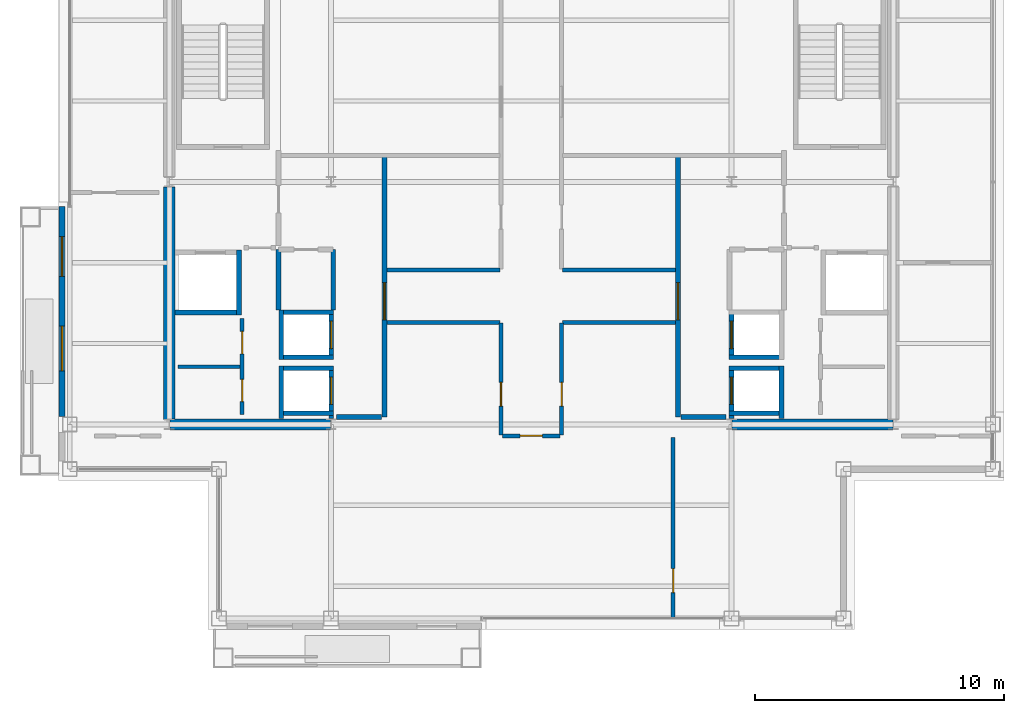
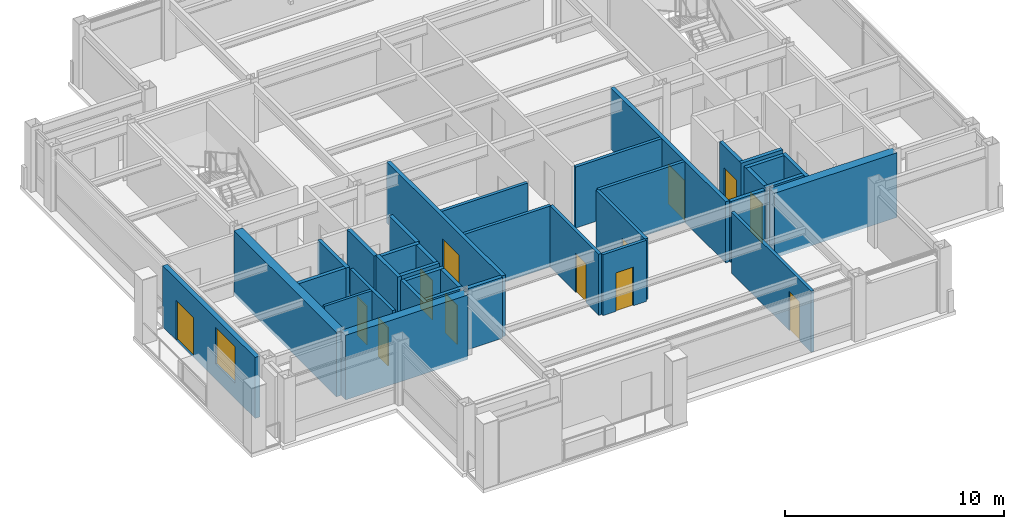
# One storey, part 20 of 24: 36 walls, 13 doors, 1 window, 14 openings.
"""IFC4 building model written with IfcOpenShell, lengths in metres."""

from ifc_helpers import new_model, si_unit, direction, frame, frame_2d, origin, place, context, subcontext, project, spatial, rectangle, extrude, material, layer, layer_set, type_object, element, fill, save


model = new_model("IFC4")

# Units and contexts
model_context = context("Model", 3, precision=1e-05, world=origin(), true_north=direction((0.0, 1.0)))
body_context = subcontext(model_context, "Body", "Model", "MODEL_VIEW")
ifc_project = project(units=[si_unit("LENGTHUNIT", "METRE"), si_unit("AREAUNIT", "SQUARE_METRE"), si_unit("VOLUMEUNIT", "CUBIC_METRE"), si_unit("PLANEANGLEUNIT", "RADIAN"), si_unit("MASSUNIT", "GRAM", prefix="KILO")], contexts=[model_context])

# Site, building, storey
site_placement = place(None, origin())
site = spatial("IfcSite", under=ifc_project, at=site_placement, CompositionType="ELEMENT")
building_placement = place(site_placement, origin())
building = spatial("IfcBuilding", under=site, at=building_placement, Name="Brelmoor Portico Tower", CompositionType="ELEMENT")
storey_placement = place(building_placement, frame((0.0, 0.0, 254.39990234375)))
storey = spatial("IfcBuildingStorey", under=building, at=storey_placement, Name="L67", CompositionType="ELEMENT", Elevation=254.39990234375)

# Walls
ifc_material_1 = material(Name="Concrete C50", Category="concrete")
ifc_layer_1 = layer(ifc_material_1, 0.449951171875)
ifc_layer_set_1 = layer_set([ifc_layer_1], Name="Concrete C50")
wall_type_1 = type_object("IfcWallType", Name="WL-CORE-450", PredefinedType="SHEAR", material=ifc_layer_set_1)
wall_1_placement = place(storey_placement, frame((-14.530029296875, -9.75, -0.199951171875), z_axis=(0.0, 0.0, 1.0), x_axis=(1.0, 0.0, 0.0)))
element("IfcWall", 1, at=wall_1_placement, inside=storey, type_object=wall_type_1, Name="L67 WC South Shear Wall", PredefinedType="SHEAR", context=body_context, shape_type="SweptSolid", body=[
    extrude(rectangle(XDim=6.4599609375, YDim=0.449951171875, at=frame_2d((3.22998046875, 0.0))), origin(), (0.0, 0.0, 1.0), 3.60009765625),
])
wall_2_placement = place(storey_placement, frame((-14.550048828125, -9.550048828125, -0.199951171875), z_axis=(0.0, 0.0, 1.0), x_axis=(0.0, 1.0, 0.0)))
element("IfcWall", 2, at=wall_2_placement, inside=storey, type_object=wall_type_1, Name="L67 WC Outer South Shear Wall", PredefinedType="SHEAR", context=body_context, shape_type="SweptSolid", body=[
    extrude(rectangle(XDim=9.35009765625, YDim=0.449951171875, at=frame_2d((4.675048828125, 0.0))), origin(), (0.0, 0.0, 1.0), 3.60009765625),
])
wall_3_placement = place(storey_placement, frame((8.070068359375, -9.75, -0.199951171875), z_axis=(0.0, 0.0, 1.0), x_axis=(1.0, 0.0, 0.0)))
element("IfcWall", 3, at=wall_3_placement, inside=storey, type_object=wall_type_1, Name="L67 EC South Shear Wall", PredefinedType="SHEAR", context=body_context, shape_type="SweptSolid", body=[
    extrude(rectangle(XDim=6.4599609375, YDim=0.449951171875, at=frame_2d((3.22998046875, 0.0))), origin(), (0.0, 0.0, 1.0), 3.60009765625),
])

# Wall, openings, door, window
ifc_material_2 = material(Name="Precast Concrete C40 Insulated Facade Wall", Category="concrete")
ifc_layer_2 = layer(ifc_material_2, 0.25)
ifc_layer_set_2 = layer_set([ifc_layer_2], Name="Precast Concrete C40 Insulated Facade Wall")
wall_type_2 = type_object("IfcWallType", Name="WL-EXT-250", PredefinedType="STANDARD", material=ifc_layer_set_2)
wall_4_placement = place(storey_placement, frame((-18.860107421875, -9.429931640625, 0.0), z_axis=(0.0, 0.0, 1.0), x_axis=(0.0, 1.0, 0.0)))
wall_4 = element("IfcWall", 4, at=wall_4_placement, inside=storey, type_object=wall_type_2, Name="L67 Loggia Threshold Wall W-2", PredefinedType="STANDARD", context=body_context, shape_type="SweptSolid", body=[
    extrude(rectangle(XDim=8.429931640625, YDim=0.25, at=frame_2d((4.21484375, 0.0))), origin(), (0.0, 0.0, 1.0), 3.400146484375),
])
opening_1_placement = place(wall_4_placement, frame((5.6298828125, 0.0, 0.0)))
opening_1 = element("IfcOpeningElement", 5, at=opening_1_placement, cuts=wall_4, Name="Opening D-TB1", PredefinedType="OPENING", context=body_context, shape_type="SweptSolid", body=[
    extrude(rectangle(XDim=1.60009765625, YDim=2.199951171875, at=frame_2d((0.800048828125, 1.10009765625))), frame((0.0, 0.135009765625, 0.0), z_axis=(0.0, -1.0, 0.0), x_axis=(1.0, 0.0, 0.0)), (0.0, 0.0, 1.0), 0.27001953125),
])
opening_2_placement = place(wall_4_placement, frame((1.830078125, 0.0, 0.85009765625)))
opening_2 = element("IfcOpeningElement", 6, at=opening_2_placement, cuts=wall_4, Name="Opening W-03C", PredefinedType="OPENING", context=body_context, shape_type="SweptSolid", body=[
    extrude(rectangle(XDim=1.800048828125, YDim=2.050048828125, at=frame_2d((0.89990234375, 1.02490234375))), frame((0.0, 0.135009765625, 0.0), z_axis=(0.0, -1.0, 0.0), x_axis=(1.0, 0.0, 0.0)), (0.0, 0.0, 1.0), 0.27001953125),
])
ifc_material_3 = material(Name="Double-Leaf Thermally Broken Terrace Door", Category="aluminium")
door_type_1 = type_object("IfcDoorType", Name="DR-BALCONY-1600", OperationType="NOTDEFINED", PredefinedType="DOOR", material=ifc_material_3)
door_1_placement = place(opening_1_placement, origin())
door_1 = element("IfcDoor", 7, at=door_1_placement, inside=storey, type_object=door_type_1, Name="D-2774 L67 Tree Balcony Double Door W", OperationType="DOUBLE_DOOR_SINGLE_SWING", OverallHeight=2.199951171875, OverallWidth=1.60009765625, PredefinedType="DOOR", context=body_context, shape_type="SweptSolid", body=[
    extrude(rectangle(XDim=1.60009765625, YDim=2.199951171875, at=frame_2d((0.800048828125, 1.10009765625))), frame((0.0, 0.02490234375, 0.0), z_axis=(0.0, -1.0, 0.0), x_axis=(1.0, 0.0, 0.0)), (0.0, 0.0, 1.0), 0.050048828125),
])
fill(opening_1, door_1)
ifc_material_4 = material(Name="Thermally Broken Aluminium Low-E Window", Category="aluminium")
window_type = type_object("IfcWindowType", Name="WN-LOGGIA-1800x2050", PartitioningType="SINGLE_PANEL", PredefinedType="WINDOW", material=ifc_material_4)
window_placement = place(opening_2_placement, origin())
window = element("IfcWindow", 8, at=window_placement, inside=storey, type_object=window_type, Name="L67 Loggia Window W", OverallHeight=2.050048828125, OverallWidth=1.800048828125, PartitioningType="SINGLE_PANEL", PredefinedType="WINDOW", context=body_context, shape_type="SweptSolid", body=[
    extrude(rectangle(XDim=1.800048828125, YDim=2.050048828125, at=frame_2d((0.89990234375, 1.02490234375))), frame((0.0, 0.030029296875, 0.0), z_axis=(0.0, -1.0, 0.0), x_axis=(1.0, 0.0, 0.0)), (0.0, 0.0, 1.0), 0.06005859375),
])
fill(opening_2, window)

# Wall
ifc_material_5 = material(Name="Insulated Stud Suite Partition", Category="gypsum")
ifc_layer_3 = layer(ifc_material_5, 0.139892578125)
ifc_layer_set_3 = layer_set([ifc_layer_3], Name="Insulated Stud Suite Partition")
wall_type_3 = type_object("IfcWallType", Name="WL-PART-140", PredefinedType="PARTITIONING", material=ifc_layer_set_3)
wall_5_placement = place(storey_placement, frame((-11.699951171875, -7.425048828125, 0.0), z_axis=(0.0, 0.0, 1.0), x_axis=(-1.0, 0.0, 0.0)))
element("IfcWall", 9, at=wall_5_placement, inside=storey, type_object=wall_type_3, Name="L67 W Core WC Divider 1", PredefinedType="PARTITIONING", context=body_context, shape_type="SweptSolid", body=[
    extrude(rectangle(XDim=2.5, YDim=0.139892578125, at=frame_2d((1.25, 0.0))), origin(), (0.0, 0.0, 1.0), 3.400146484375),
])

# Wall, openings, doors
ifc_material_6 = material(Name="Twin-Frame Acoustic Partition", Category="gypsum")
ifc_layer_4 = layer(ifc_material_6, 0.159912109375)
ifc_layer_set_4 = layer_set([ifc_layer_4], Name="Twin-Frame Acoustic Partition")
wall_type_4 = type_object("IfcWallType", Name="WL-PART-160", PredefinedType="PARTITIONING", material=ifc_layer_set_4)
wall_6_placement = place(storey_placement, frame((-11.6201171875, -9.35009765625, 0.0), z_axis=(0.0, 0.0, 1.0), x_axis=(0.0, 1.0, 0.0)))
wall_6 = element("IfcWall", 10, at=wall_6_placement, inside=storey, type_object=wall_type_4, Name="L67 W Core Service Front Wall", PredefinedType="PARTITIONING", context=body_context, shape_type="SweptSolid", body=[
    extrude(rectangle(XDim=3.85009765625, YDim=0.159912109375, at=frame_2d((1.925048828125, 0.0))), origin(), (0.0, 0.0, 1.0), 3.400146484375),
])
opening_3_placement = place(wall_6_placement, frame((0.512451171875, 0.0, 0.0)))
opening_3 = element("IfcOpeningElement", 11, at=opening_3_placement, cuts=wall_6, Name="Opening D-IN1", PredefinedType="OPENING", context=body_context, shape_type="SweptSolid", body=[
    extrude(rectangle(XDim=0.89990234375, YDim=2.14990234375, at=frame_2d((0.449951171875, 1.074951171875))), frame((0.0, 0.08984375, 0.0), z_axis=(0.0, -1.0, 0.0), x_axis=(1.0, 0.0, 0.0)), (0.0, 0.0, 1.0), 0.179931640625),
])
opening_4_placement = place(wall_6_placement, frame((2.4375, 0.0, 0.0)))
opening_4 = element("IfcOpeningElement", 12, at=opening_4_placement, cuts=wall_6, Name="Opening D-IN1", PredefinedType="OPENING", context=body_context, shape_type="SweptSolid", body=[
    extrude(rectangle(XDim=0.89990234375, YDim=2.14990234375, at=frame_2d((0.449951171875, 1.074951171875))), frame((0.0, 0.08984375, 0.0), z_axis=(0.0, -1.0, 0.0), x_axis=(1.0, 0.0, 0.0)), (0.0, 0.0, 1.0), 0.179931640625),
])
ifc_material_7 = material(Name="Lacquered Timber Suite Door", Category="wood")
door_type_2 = type_object("IfcDoorType", Name="DR-INT-900", OperationType="NOTDEFINED", PredefinedType="DOOR", material=ifc_material_7)
door_2_placement = place(opening_3_placement, origin())
door_2 = element("IfcDoor", 13, at=door_2_placement, inside=storey, type_object=door_type_2, Name="D-2756 L67 W Accessible WC Door", OperationType="SINGLE_SWING_RIGHT", OverallHeight=2.14990234375, OverallWidth=0.89990234375, PredefinedType="DOOR", context=body_context, shape_type="SweptSolid", body=[
    extrude(rectangle(XDim=0.89990234375, YDim=2.14990234375, at=frame_2d((0.449951171875, 1.074951171875))), frame((0.0, 0.02490234375, 0.0), z_axis=(0.0, -1.0, 0.0), x_axis=(1.0, 0.0, 0.0)), (0.0, 0.0, 1.0), 0.050048828125),
])
fill(opening_3, door_2)
door_3_placement = place(opening_4_placement, origin())
door_3 = element("IfcDoor", 14, at=door_3_placement, inside=storey, type_object=door_type_2, Name="D-2757 L67 W Staff WC Door", OperationType="SINGLE_SWING_LEFT", OverallHeight=2.14990234375, OverallWidth=0.89990234375, PredefinedType="DOOR", context=body_context, shape_type="SweptSolid", body=[
    extrude(rectangle(XDim=0.89990234375, YDim=2.14990234375, at=frame_2d((0.449951171875, 1.074951171875))), frame((0.0, 0.02490234375, 0.0), z_axis=(0.0, -1.0, 0.0), x_axis=(1.0, 0.0, 0.0)), (0.0, 0.0, 1.0), 0.050048828125),
])
fill(opening_4, door_3)

# Walls
for number, where, z_axis, x_axis, name in (
    (15, (-5.800048828125, -3.550048828125, 0.0), (0.0, 0.0, 1.0), (1.0, 0.0, 0.0), "L67 West Pantry South Wall"),
    (16, (1.260009765625, -3.550048828125, 0.0), (0.0, 0.0, 1.0), (1.0, 0.0, 0.0), "L67 East Office South Wall"),
):
    element("IfcWall", number, at=place(storey_placement, frame(where, z_axis=z_axis, x_axis=x_axis)), inside=storey, type_object=wall_type_4, Name=name, PredefinedType="PARTITIONING", context=body_context, shape_type="SweptSolid", body=[
        extrude(rectangle(XDim=4.5400390625, YDim=0.159912109375, at=frame_2d((2.27001953125, 0.0))), origin(), (0.0, 0.0, 1.0), 3.400146484375),
    ])

# Wall, opening, door
wall_7_placement = place(storey_placement, frame((-1.219970703125, -10.169921875, 0.0), z_axis=(0.0, 0.0, 1.0), x_axis=(0.0, 1.0, 0.0)))
wall_7 = element("IfcWall", 17, at=wall_7_placement, inside=storey, type_object=wall_type_4, Name="L67 South Cross West Wall", PredefinedType="PARTITIONING", context=body_context, shape_type="SweptSolid", body=[
    extrude(rectangle(XDim=4.489990234375, YDim=0.159912109375, at=frame_2d((2.2451171875, 0.0))), origin(), (0.0, 0.0, 1.0), 3.400146484375),
])
opening_5_placement = place(wall_7_placement, frame((1.14990234375, 0.0, 0.0)))
opening_5 = element("IfcOpeningElement", 18, at=opening_5_placement, cuts=wall_7, Name="Opening D-IN2", PredefinedType="OPENING", context=body_context, shape_type="SweptSolid", body=[
    extrude(rectangle(XDim=0.9599609375, YDim=2.179931640625, at=frame_2d((0.47998046875, 1.08984375))), frame((0.0, 0.08984375, 0.0), z_axis=(0.0, -1.0, 0.0), x_axis=(1.0, 0.0, 0.0)), (0.0, 0.0, 1.0), 0.179931640625),
])
door_type_3 = type_object("IfcDoorType", Name="DR-INT-950", OperationType="NOTDEFINED", PredefinedType="DOOR", material=ifc_material_7)
door_4_placement = place(opening_5_placement, origin())
door_4 = element("IfcDoor", 19, at=door_4_placement, inside=storey, type_object=door_type_3, Name="D-2749 L67 South-West Archive Room Door", OperationType="SINGLE_SWING_LEFT", OverallHeight=2.179931640625, OverallWidth=0.9599609375, PredefinedType="DOOR", context=body_context, shape_type="SweptSolid", body=[
    extrude(rectangle(XDim=0.9599609375, YDim=2.179931640625, at=frame_2d((0.47998046875, 1.08984375))), frame((0.0, 0.02490234375, 0.0), z_axis=(0.0, -1.0, 0.0), x_axis=(1.0, 0.0, 0.0)), (0.0, 0.0, 1.0), 0.050048828125),
])
fill(opening_5, door_4)

wall_8_placement = place(storey_placement, frame((1.219970703125, -10.169921875, 0.0), z_axis=(0.0, 0.0, 1.0), x_axis=(0.0, 1.0, 0.0)))
wall_8 = element("IfcWall", 20, at=wall_8_placement, inside=storey, type_object=wall_type_4, Name="L67 South Cross East Wall", PredefinedType="PARTITIONING", context=body_context, shape_type="SweptSolid", body=[
    extrude(rectangle(XDim=4.489990234375, YDim=0.159912109375, at=frame_2d((2.2451171875, 0.0))), origin(), (0.0, 0.0, 1.0), 3.400146484375),
])
opening_6_placement = place(wall_8_placement, frame((1.14990234375, 0.0, 0.0)))
opening_6 = element("IfcOpeningElement", 21, at=opening_6_placement, cuts=wall_8, Name="Opening D-IN2", PredefinedType="OPENING", context=body_context, shape_type="SweptSolid", body=[
    extrude(rectangle(XDim=0.9599609375, YDim=2.179931640625, at=frame_2d((0.47998046875, 1.08984375))), frame((0.0, 0.08984375, 0.0), z_axis=(0.0, -1.0, 0.0), x_axis=(1.0, 0.0, 0.0)), (0.0, 0.0, 1.0), 0.179931640625),
])
door_5_placement = place(opening_6_placement, origin())
door_5 = element("IfcDoor", 22, at=door_5_placement, inside=storey, type_object=door_type_3, Name="D-2748 L67 South-East Partner Office Door", OperationType="SINGLE_SWING_RIGHT", OverallHeight=2.179931640625, OverallWidth=0.9599609375, PredefinedType="DOOR", context=body_context, shape_type="SweptSolid", body=[
    extrude(rectangle(XDim=0.9599609375, YDim=2.179931640625, at=frame_2d((0.47998046875, 1.08984375))), frame((0.0, 0.02490234375, 0.0), z_axis=(0.0, -1.0, 0.0), x_axis=(1.0, 0.0, 0.0)), (0.0, 0.0, 1.0), 0.050048828125),
])
fill(opening_6, door_5)

# Walls
for number, where, z_axis, x_axis, name in (
    (23, (-5.800048828125, -5.64990234375, 0.0), (0.0, 0.0, 1.0), (1.0, 0.0, 0.0), "L67 South-West Chamber Top Wall"),
    (24, (1.260009765625, -5.64990234375, 0.0), (0.0, 0.0, 1.0), (1.0, 0.0, 0.0), "L67 South-East Chamber Top Wall"),
):
    element("IfcWall", number, at=place(storey_placement, frame(where, z_axis=z_axis, x_axis=x_axis)), inside=storey, type_object=wall_type_4, Name=name, PredefinedType="PARTITIONING", context=body_context, shape_type="SweptSolid", body=[
        extrude(rectangle(XDim=4.5400390625, YDim=0.159912109375, at=frame_2d((2.27001953125, 0.0))), origin(), (0.0, 0.0, 1.0), 3.400146484375),
    ])

# Wall, opening, door
wall_9_placement = place(storey_placement, frame((5.705078125, -17.56005859375, 0.0), z_axis=(0.0, 0.0, 1.0), x_axis=(0.0, 1.0, 0.0)))
wall_9 = element("IfcWall", 25, at=wall_9_placement, inside=storey, type_object=wall_type_4, Name="L67 South Suite Partition 1", PredefinedType="PARTITIONING", context=body_context, shape_type="SweptSolid", body=[
    extrude(rectangle(XDim=7.2900390625, YDim=0.159912109375, at=frame_2d((3.64501953125, 0.0))), origin(), (0.0, 0.0, 1.0), 3.400146484375),
])
opening_7_placement = place(wall_9_placement, frame((1.050048828125, 0.0, 0.0)))
opening_7 = element("IfcOpeningElement", 26, at=opening_7_placement, cuts=wall_9, Name="Opening D-IN2", PredefinedType="OPENING", context=body_context, shape_type="SweptSolid", body=[
    extrude(rectangle(XDim=0.9599609375, YDim=2.179931640625, at=frame_2d((0.47998046875, 1.08984375))), frame((0.0, 0.08984375, 0.0), z_axis=(0.0, -1.0, 0.0), x_axis=(1.0, 0.0, 0.0)), (0.0, 0.0, 1.0), 0.179931640625),
])
door_6_placement = place(opening_7_placement, origin())
door_6 = element("IfcDoor", 27, at=door_6_placement, inside=storey, type_object=door_type_3, Name="D-2768 L67 South Suite Connecting Door 1", OperationType="SINGLE_SWING_RIGHT", OverallHeight=2.179931640625, OverallWidth=0.9599609375, PredefinedType="DOOR", context=body_context, shape_type="SweptSolid", body=[
    extrude(rectangle(XDim=0.9599609375, YDim=2.179931640625, at=frame_2d((0.47998046875, 1.08984375))), frame((0.0, 0.02490234375, 0.0), z_axis=(0.0, -1.0, 0.0), x_axis=(1.0, 0.0, 0.0)), (0.0, 0.0, 1.0), 0.050048828125),
])
fill(opening_7, door_6)

wall_10_placement = place(storey_placement, frame((-1.14990234375, -10.2099609375, 0.0), z_axis=(0.0, 0.0, 1.0), x_axis=(1.0, 0.0, 0.0)))
wall_10 = element("IfcWall", 28, at=wall_10_placement, inside=storey, type_object=wall_type_4, Name="L67 South Corridor Partition", PredefinedType="PARTITIONING", context=body_context, shape_type="SweptSolid", body=[
    extrude(rectangle(XDim=2.2998046875, YDim=0.159912109375, at=frame_2d((1.14990234375, 0.0))), origin(), (0.0, 0.0, 1.0), 3.400146484375),
])
opening_8_placement = place(wall_10_placement, frame((0.699951171875, 0.0, 0.0)))
opening_8 = element("IfcOpeningElement", 29, at=opening_8_placement, cuts=wall_10, Name="Opening D-IN1", PredefinedType="OPENING", context=body_context, shape_type="SweptSolid", body=[
    extrude(rectangle(XDim=0.89990234375, YDim=2.14990234375, at=frame_2d((0.449951171875, 1.074951171875))), frame((0.0, 0.08984375, 0.0), z_axis=(0.0, -1.0, 0.0), x_axis=(1.0, 0.0, 0.0)), (0.0, 0.0, 1.0), 0.179931640625),
])
door_7_placement = place(opening_8_placement, origin())
door_7 = element("IfcDoor", 30, at=door_7_placement, inside=storey, type_object=door_type_2, Name="D-2767 L67 South Records Storage Room 1 Door", OperationType="SINGLE_SWING_LEFT", OverallHeight=2.14990234375, OverallWidth=0.89990234375, PredefinedType="DOOR", context=body_context, shape_type="SweptSolid", body=[
    extrude(rectangle(XDim=0.89990234375, YDim=2.14990234375, at=frame_2d((0.449951171875, 1.074951171875))), frame((0.0, 0.02490234375, 0.0), z_axis=(0.0, -1.0, 0.0), x_axis=(1.0, 0.0, 0.0)), (0.0, 0.0, 1.0), 0.050048828125),
])
fill(opening_8, door_7)

ifc_material_8 = material(Name="Double-Stud Gypsum Fire Partition", Category="gypsum")
ifc_layer_5 = layer(ifc_material_8, 0.199951171875)
ifc_layer_set_5 = layer_set([ifc_layer_5], Name="Double-Stud Gypsum Fire Partition")
wall_type_5 = type_object("IfcWallType", Name="WL-PART-200", PredefinedType="PARTITIONING", material=ifc_layer_set_5)
wall_11_placement = place(storey_placement, frame((-5.89990234375, -9.449951171875, 0.0), z_axis=(0.0, 0.0, 1.0), x_axis=(0.0, 1.0, 0.0)))
wall_11 = element("IfcWall", 31, at=wall_11_placement, inside=storey, type_object=wall_type_5, Name="L67 W Core Lobby Compartment Wall", PredefinedType="PARTITIONING", context=body_context, shape_type="SweptSolid", body=[
    extrude(rectangle(XDim=10.5, YDim=0.199951171875, at=frame_2d((5.25, 0.0))), origin(), (0.0, 0.0, 1.0), 3.400146484375),
])
opening_9_placement = place(wall_11_placement, frame((3.89990234375, 0.0, 0.0)))
opening_9 = element("IfcOpeningElement", 32, at=opening_9_placement, cuts=wall_11, Name="Opening D-LB1", PredefinedType="OPENING", context=body_context, shape_type="SweptSolid", body=[
    extrude(rectangle(XDim=1.5, YDim=2.199951171875, at=frame_2d((0.75, 1.10009765625))), frame((0.0, 0.10986328125, 0.0), z_axis=(0.0, -1.0, 0.0), x_axis=(1.0, 0.0, 0.0)), (0.0, 0.0, 1.0), 0.219970703125),
])
ifc_material_9 = material(Name="Double-Leaf Glazed Steel Fire Door", Category="steel")
door_type_4 = type_object("IfcDoorType", Name="DR-LOBBY-1500", OperationType="NOTDEFINED", PredefinedType="DOOR", material=ifc_material_9)
door_8_placement = place(opening_9_placement, origin())
door_8 = element("IfcDoor", 33, at=door_8_placement, inside=storey, type_object=door_type_4, Name="D-2763 L67 W Lift Lobby Main Door", OperationType="DOUBLE_DOOR_SINGLE_SWING", OverallHeight=2.199951171875, OverallWidth=1.5, PredefinedType="DOOR", context=body_context, shape_type="SweptSolid", body=[
    extrude(rectangle(XDim=1.5, YDim=2.199951171875, at=frame_2d((0.75, 1.10009765625))), frame((0.0, 0.02490234375, 0.0), z_axis=(0.0, -1.0, 0.0), x_axis=(1.0, 0.0, 0.0)), (0.0, 0.0, 1.0), 0.050048828125),
])
fill(opening_9, door_8)

# Walls
wall_12_placement = place(storey_placement, frame((-6.02001953125, -9.449951171875, 0.0), z_axis=(0.0, 0.0, 1.0), x_axis=(-1.0, 0.0, 0.0)))
element("IfcWall", 34, at=wall_12_placement, inside=storey, type_object=wall_type_5, Name="L67 W Lift Lobby South End Wall", PredefinedType="PARTITIONING", context=body_context, shape_type="SweptSolid", body=[
    extrude(rectangle(XDim=1.800048828125, YDim=0.199951171875, at=frame_2d((0.89990234375, 0.0))), origin(), (0.0, 0.0, 1.0), 3.400146484375),
])
for number, where, z_axis, x_axis, name in (
    (35, (-7.9599609375, -5.159912109375, 0.0), (0.0, 0.0, 1.0), (0.0, 1.0, 0.0), "L67 W Electrical Switchgear Closet Inner Wall"),
    (36, (-10.159912109375, -5.159912109375, 0.0), (0.0, 0.0, 1.0), (0.0, 1.0, 0.0), "L67 W Electrical Switchgear Closet Outer Wall"),
):
    element("IfcWall", number, at=place(storey_placement, frame(where, z_axis=z_axis, x_axis=x_axis)), inside=storey, type_object=wall_type_5, Name=name, PredefinedType="PARTITIONING", context=body_context, shape_type="SweptSolid", body=[
        extrude(rectangle(XDim=2.43994140625, YDim=0.199951171875, at=frame_2d((1.219970703125, 0.0))), origin(), (0.0, 0.0, 1.0), 3.400146484375),
    ])

# Wall, opening, door
wall_13_placement = place(storey_placement, frame((5.89990234375, -9.449951171875, 0.0), z_axis=(0.0, 0.0, 1.0), x_axis=(0.0, 1.0, 0.0)))
wall_13 = element("IfcWall", 37, at=wall_13_placement, inside=storey, type_object=wall_type_5, Name="L67 E Core Lobby Compartment Wall", PredefinedType="PARTITIONING", context=body_context, shape_type="SweptSolid", body=[
    extrude(rectangle(XDim=10.5, YDim=0.199951171875, at=frame_2d((5.25, 0.0))), origin(), (0.0, 0.0, 1.0), 3.400146484375),
])
opening_10_placement = place(wall_13_placement, frame((3.89990234375, 0.0, 0.0)))
opening_10 = element("IfcOpeningElement", 38, at=opening_10_placement, cuts=wall_13, Name="Opening D-LB1", PredefinedType="OPENING", context=body_context, shape_type="SweptSolid", body=[
    extrude(rectangle(XDim=1.5, YDim=2.199951171875, at=frame_2d((0.75, 1.10009765625))), frame((0.0, 0.10986328125, 0.0), z_axis=(0.0, -1.0, 0.0), x_axis=(1.0, 0.0, 0.0)), (0.0, 0.0, 1.0), 0.219970703125),
])
door_9_placement = place(opening_10_placement, origin())
door_9 = element("IfcDoor", 39, at=door_9_placement, inside=storey, type_object=door_type_4, Name="D-2762 L67 E Lift Lobby Main Door", OperationType="DOUBLE_DOOR_SINGLE_SWING", OverallHeight=2.199951171875, OverallWidth=1.5, PredefinedType="DOOR", context=body_context, shape_type="SweptSolid", body=[
    extrude(rectangle(XDim=1.5, YDim=2.199951171875, at=frame_2d((0.75, 1.10009765625))), frame((0.0, 0.02490234375, 0.0), z_axis=(0.0, -1.0, 0.0), x_axis=(1.0, 0.0, 0.0)), (0.0, 0.0, 1.0), 0.050048828125),
])
fill(opening_10, door_9)

# Wall
wall_14_placement = place(storey_placement, frame((6.02001953125, -9.449951171875, 0.0), z_axis=(0.0, 0.0, 1.0), x_axis=(1.0, 0.0, 0.0)))
element("IfcWall", 40, at=wall_14_placement, inside=storey, type_object=wall_type_5, Name="L67 E Lift Lobby South End Wall", PredefinedType="PARTITIONING", context=body_context, shape_type="SweptSolid", body=[
    extrude(rectangle(XDim=1.800048828125, YDim=0.199951171875, at=frame_2d((0.89990234375, 0.0))), origin(), (0.0, 0.0, 1.0), 3.400146484375),
])

# Wall, opening, door
ifc_material_10 = material(Name="Precast Concrete C40", Category="concrete")
ifc_layer_6 = layer(ifc_material_10, 0.18994140625)
ifc_layer_set_6 = layer_set([ifc_layer_6], Name="Precast Concrete C40")
wall_type_6 = type_object("IfcWallType", Name="WL-SHAFT-180", PredefinedType="SOLIDWALL", material=ifc_layer_set_6)
wall_15_placement = place(storey_placement, frame((-8.044921875, -9.52001953125, -0.199951171875), z_axis=(0.0, 0.0, 1.0), x_axis=(0.0, 1.0, 0.0)))
wall_15 = element("IfcWall", 41, at=wall_15_placement, inside=storey, type_object=wall_type_6, Name="L67 Lift PH1 Hoistway Front Wall", PredefinedType="SOLIDWALL", context=body_context, shape_type="SweptSolid", body=[
    extrude(rectangle(XDim=2.1201171875, YDim=0.18994140625, at=frame_2d((1.06005859375, 0.0))), origin(), (0.0, 0.0, 1.0), 3.60009765625),
])
opening_11_placement = place(wall_15_placement, frame((0.570068359375, 0.0, 0.199951171875)))
opening_11 = element("IfcOpeningElement", 42, at=opening_11_placement, cuts=wall_15, Name="Opening LD-01", PredefinedType="OPENING", context=body_context, shape_type="SweptSolid", body=[
    extrude(rectangle(XDim=1.10009765625, YDim=2.199951171875, at=frame_2d((0.550048828125, 1.10009765625))), frame((0.0, 0.10498046875, 0.0), z_axis=(0.0, -1.0, 0.0), x_axis=(1.0, 0.0, 0.0)), (0.0, 0.0, 1.0), 0.2099609375),
])
ifc_material_11 = material(Name="Brushed Stainless Steel Sliding Lift Door", Category="steel")
door_type_5 = type_object("IfcDoorType", Name="DR-LIFT-1100", OperationType="NOTDEFINED", PredefinedType="DOOR", material=ifc_material_11)
door_10_placement = place(opening_11_placement, origin())
door_10 = element("IfcDoor", 43, at=door_10_placement, inside=storey, type_object=door_type_5, Name="D-2779 L67 Lift PH1 Sliding Landing Door", OperationType="SLIDING_TO_LEFT", OverallHeight=2.199951171875, OverallWidth=1.10009765625, PredefinedType="DOOR", context=body_context, shape_type="SweptSolid", body=[
    extrude(rectangle(XDim=1.10009765625, YDim=2.199951171875, at=frame_2d((0.550048828125, 1.10009765625))), frame((0.0, 0.02490234375, 0.0), z_axis=(0.0, -1.0, 0.0), x_axis=(1.0, 0.0, 0.0)), (0.0, 0.0, 1.0), 0.050048828125),
])
fill(opening_11, door_10)

# Walls
wall_16_placement = place(storey_placement, frame((-10.054931640625, -9.52001953125, -0.199951171875), z_axis=(0.0, 0.0, 1.0), x_axis=(0.0, 1.0, 0.0)))
element("IfcWall", 44, at=wall_16_placement, inside=storey, type_object=wall_type_6, Name="L67 Lift PH1 Hoistway Back Wall", PredefinedType="SOLIDWALL", context=body_context, shape_type="SweptSolid", body=[
    extrude(rectangle(XDim=2.1201171875, YDim=0.18994140625, at=frame_2d((1.06005859375, 0.0))), origin(), (0.0, 0.0, 1.0), 3.60009765625),
])
for number, where, z_axis, x_axis, name in (
    (45, (-10.14990234375, -7.4951171875, -0.199951171875), (0.0, 0.0, 1.0), (1.0, 0.0, 0.0), "L67 Lift PH1 Hoistway North Wall"),
    (46, (-10.14990234375, -9.304931640625, -0.199951171875), (0.0, 0.0, 1.0), (1.0, 0.0, 0.0), "L67 Lift PH1 Hoistway South Wall"),
):
    element("IfcWall", number, at=place(storey_placement, frame(where, z_axis=z_axis, x_axis=x_axis)), inside=storey, type_object=wall_type_6, Name=name, PredefinedType="SOLIDWALL", context=body_context, shape_type="SweptSolid", body=[
        extrude(rectangle(XDim=2.199951171875, YDim=0.18994140625, at=frame_2d((1.10009765625, 0.0))), origin(), (0.0, 0.0, 1.0), 3.60009765625),
    ])

# Wall, opening, door
wall_17_placement = place(storey_placement, frame((-8.044921875, -7.14990234375, -0.199951171875), z_axis=(0.0, 0.0, 1.0), x_axis=(0.0, 1.0, 0.0)))
wall_17 = element("IfcWall", 47, at=wall_17_placement, inside=storey, type_object=wall_type_6, Name="L67 Lift PH2 Hoistway Front Wall", PredefinedType="SOLIDWALL", context=body_context, shape_type="SweptSolid", body=[
    extrude(rectangle(XDim=2.0, YDim=0.18994140625, at=frame_2d((1.0, 0.0))), origin(), (0.0, 0.0, 1.0), 3.60009765625),
])
opening_12_placement = place(wall_17_placement, frame((0.449951171875, 0.0, 0.199951171875)))
opening_12 = element("IfcOpeningElement", 48, at=opening_12_placement, cuts=wall_17, Name="Opening LD-01", PredefinedType="OPENING", context=body_context, shape_type="SweptSolid", body=[
    extrude(rectangle(XDim=1.10009765625, YDim=2.199951171875, at=frame_2d((0.550048828125, 1.10009765625))), frame((0.0, 0.10498046875, 0.0), z_axis=(0.0, -1.0, 0.0), x_axis=(1.0, 0.0, 0.0)), (0.0, 0.0, 1.0), 0.2099609375),
])
door_11_placement = place(opening_12_placement, origin())
door_11 = element("IfcDoor", 49, at=door_11_placement, inside=storey, type_object=door_type_5, Name="D-2780 L67 Lift PH2 Sliding Landing Door", OperationType="SLIDING_TO_LEFT", OverallHeight=2.199951171875, OverallWidth=1.10009765625, PredefinedType="DOOR", context=body_context, shape_type="SweptSolid", body=[
    extrude(rectangle(XDim=1.10009765625, YDim=2.199951171875, at=frame_2d((0.550048828125, 1.10009765625))), frame((0.0, 0.02490234375, 0.0), z_axis=(0.0, -1.0, 0.0), x_axis=(1.0, 0.0, 0.0)), (0.0, 0.0, 1.0), 0.050048828125),
])
fill(opening_12, door_11)

# Walls
wall_18_placement = place(storey_placement, frame((-10.054931640625, -7.14990234375, -0.199951171875), z_axis=(0.0, 0.0, 1.0), x_axis=(0.0, 1.0, 0.0)))
element("IfcWall", 50, at=wall_18_placement, inside=storey, type_object=wall_type_6, Name="L67 Lift PH2 Hoistway Back Wall", PredefinedType="SOLIDWALL", context=body_context, shape_type="SweptSolid", body=[
    extrude(rectangle(XDim=2.0, YDim=0.18994140625, at=frame_2d((1.0, 0.0))), origin(), (0.0, 0.0, 1.0), 3.60009765625),
])
for number, where, z_axis, x_axis, name in (
    (51, (-10.14990234375, -5.2451171875, -0.199951171875), (0.0, 0.0, 1.0), (1.0, 0.0, 0.0), "L67 Lift PH2 Hoistway North Wall"),
    (52, (-10.14990234375, -7.054931640625, -0.199951171875), (0.0, 0.0, 1.0), (1.0, 0.0, 0.0), "L67 Lift PH2 Hoistway South Wall"),
):
    element("IfcWall", number, at=place(storey_placement, frame(where, z_axis=z_axis, x_axis=x_axis)), inside=storey, type_object=wall_type_6, Name=name, PredefinedType="SOLIDWALL", context=body_context, shape_type="SweptSolid", body=[
        extrude(rectangle(XDim=2.199951171875, YDim=0.18994140625, at=frame_2d((1.10009765625, 0.0))), origin(), (0.0, 0.0, 1.0), 3.60009765625),
    ])

# Wall, opening, door
wall_19_placement = place(storey_placement, frame((8.044921875, -9.52001953125, -0.199951171875), z_axis=(0.0, 0.0, 1.0), x_axis=(0.0, 1.0, 0.0)))
wall_19 = element("IfcWall", 53, at=wall_19_placement, inside=storey, type_object=wall_type_6, Name="L67 Lift PH3 Hoistway Front Wall", PredefinedType="SOLIDWALL", context=body_context, shape_type="SweptSolid", body=[
    extrude(rectangle(XDim=2.1201171875, YDim=0.18994140625, at=frame_2d((1.06005859375, 0.0))), origin(), (0.0, 0.0, 1.0), 3.60009765625),
])
opening_13_placement = place(wall_19_placement, frame((0.570068359375, 0.0, 0.199951171875)))
opening_13 = element("IfcOpeningElement", 54, at=opening_13_placement, cuts=wall_19, Name="Opening LD-01", PredefinedType="OPENING", context=body_context, shape_type="SweptSolid", body=[
    extrude(rectangle(XDim=1.10009765625, YDim=2.199951171875, at=frame_2d((0.550048828125, 1.10009765625))), frame((0.0, 0.10498046875, 0.0), z_axis=(0.0, -1.0, 0.0), x_axis=(1.0, 0.0, 0.0)), (0.0, 0.0, 1.0), 0.2099609375),
])
door_12_placement = place(opening_13_placement, origin())
door_12 = element("IfcDoor", 55, at=door_12_placement, inside=storey, type_object=door_type_5, Name="D-2781 L67 Lift PH3 Sliding Landing Door", OperationType="SLIDING_TO_LEFT", OverallHeight=2.199951171875, OverallWidth=1.10009765625, PredefinedType="DOOR", context=body_context, shape_type="SweptSolid", body=[
    extrude(rectangle(XDim=1.10009765625, YDim=2.199951171875, at=frame_2d((0.550048828125, 1.10009765625))), frame((0.0, 0.02490234375, 0.0), z_axis=(0.0, -1.0, 0.0), x_axis=(1.0, 0.0, 0.0)), (0.0, 0.0, 1.0), 0.050048828125),
])
fill(opening_13, door_12)

# Walls
wall_20_placement = place(storey_placement, frame((10.054931640625, -9.52001953125, -0.199951171875), z_axis=(0.0, 0.0, 1.0), x_axis=(0.0, 1.0, 0.0)))
element("IfcWall", 56, at=wall_20_placement, inside=storey, type_object=wall_type_6, Name="L67 Lift PH3 Hoistway Back Wall", PredefinedType="SOLIDWALL", context=body_context, shape_type="SweptSolid", body=[
    extrude(rectangle(XDim=2.1201171875, YDim=0.18994140625, at=frame_2d((1.06005859375, 0.0))), origin(), (0.0, 0.0, 1.0), 3.60009765625),
])
for number, where, z_axis, x_axis, name in (
    (57, (7.949951171875, -7.4951171875, -0.199951171875), (0.0, 0.0, 1.0), (1.0, 0.0, 0.0), "L67 Lift PH3 Hoistway North Wall"),
    (58, (7.949951171875, -9.304931640625, -0.199951171875), (0.0, 0.0, 1.0), (1.0, 0.0, 0.0), "L67 Lift PH3 Hoistway South Wall"),
):
    element("IfcWall", number, at=place(storey_placement, frame(where, z_axis=z_axis, x_axis=x_axis)), inside=storey, type_object=wall_type_6, Name=name, PredefinedType="SOLIDWALL", context=body_context, shape_type="SweptSolid", body=[
        extrude(rectangle(XDim=2.199951171875, YDim=0.18994140625, at=frame_2d((1.10009765625, 0.0))), origin(), (0.0, 0.0, 1.0), 3.60009765625),
    ])

# Wall, opening, door
wall_21_placement = place(storey_placement, frame((8.044921875, -7.14990234375, -0.199951171875), z_axis=(0.0, 0.0, 1.0), x_axis=(0.0, 1.0, 0.0)))
wall_21 = element("IfcWall", 59, at=wall_21_placement, inside=storey, type_object=wall_type_6, Name="L67 Lift PH4 Hoistway Front Wall", PredefinedType="SOLIDWALL", context=body_context, shape_type="SweptSolid", body=[
    extrude(rectangle(XDim=2.0, YDim=0.18994140625, at=frame_2d((1.0, 0.0))), origin(), (0.0, 0.0, 1.0), 3.60009765625),
])
opening_14_placement = place(wall_21_placement, frame((0.449951171875, 0.0, 0.199951171875)))
opening_14 = element("IfcOpeningElement", 60, at=opening_14_placement, cuts=wall_21, Name="Opening LD-01", PredefinedType="OPENING", context=body_context, shape_type="SweptSolid", body=[
    extrude(rectangle(XDim=1.10009765625, YDim=2.199951171875, at=frame_2d((0.550048828125, 1.10009765625))), frame((0.0, 0.10498046875, 0.0), z_axis=(0.0, -1.0, 0.0), x_axis=(1.0, 0.0, 0.0)), (0.0, 0.0, 1.0), 0.2099609375),
])
door_13_placement = place(opening_14_placement, origin())
door_13 = element("IfcDoor", 61, at=door_13_placement, inside=storey, type_object=door_type_5, Name="D-2782 L67 Lift PH4 Sliding Landing Door", OperationType="SLIDING_TO_LEFT", OverallHeight=2.199951171875, OverallWidth=1.10009765625, PredefinedType="DOOR", context=body_context, shape_type="SweptSolid", body=[
    extrude(rectangle(XDim=1.10009765625, YDim=2.199951171875, at=frame_2d((0.550048828125, 1.10009765625))), frame((0.0, 0.02490234375, 0.0), z_axis=(0.0, -1.0, 0.0), x_axis=(1.0, 0.0, 0.0)), (0.0, 0.0, 1.0), 0.050048828125),
])
fill(opening_14, door_13)

# Walls
wall_22_placement = place(storey_placement, frame((7.949951171875, -7.054931640625, -0.199951171875), z_axis=(0.0, 0.0, 1.0), x_axis=(1.0, 0.0, 0.0)))
element("IfcWall", 62, at=wall_22_placement, inside=storey, type_object=wall_type_6, Name="L67 Lift PH4 Hoistway South Wall", PredefinedType="SOLIDWALL", context=body_context, shape_type="SweptSolid", body=[
    extrude(rectangle(XDim=2.199951171875, YDim=0.18994140625, at=frame_2d((1.10009765625, 0.0))), origin(), (0.0, 0.0, 1.0), 3.60009765625),
])
wall_23_placement = place(storey_placement, frame((-14.330078125, -5.2548828125, -0.199951171875), z_axis=(0.0, 0.0, 1.0), x_axis=(1.0, 0.0, 0.0)))
element("IfcWall", 63, at=wall_23_placement, inside=storey, type_object=wall_type_6, Name="L67 Firefighting Lift FF1 South Wall", PredefinedType="SOLIDWALL", context=body_context, shape_type="SweptSolid", body=[
    extrude(rectangle(XDim=2.68017578125, YDim=0.18994140625, at=frame_2d((1.340087890625, 0.0))), origin(), (0.0, 0.0, 1.0), 3.60009765625),
])
wall_24_placement = place(storey_placement, frame((-11.7451171875, -5.35009765625, -0.199951171875), z_axis=(0.0, 0.0, 1.0), x_axis=(0.0, 1.0, 0.0)))
element("IfcWall", 64, at=wall_24_placement, inside=storey, type_object=wall_type_6, Name="L67 Firefighting Lift FF1 Inner Wall", PredefinedType="SOLIDWALL", context=body_context, shape_type="SweptSolid", body=[
    extrude(rectangle(XDim=2.60009765625, YDim=0.18994140625, at=frame_2d((1.300048828125, 0.0))), origin(), (0.0, 0.0, 1.0), 3.60009765625),
])

save(model, "model.ifc")
